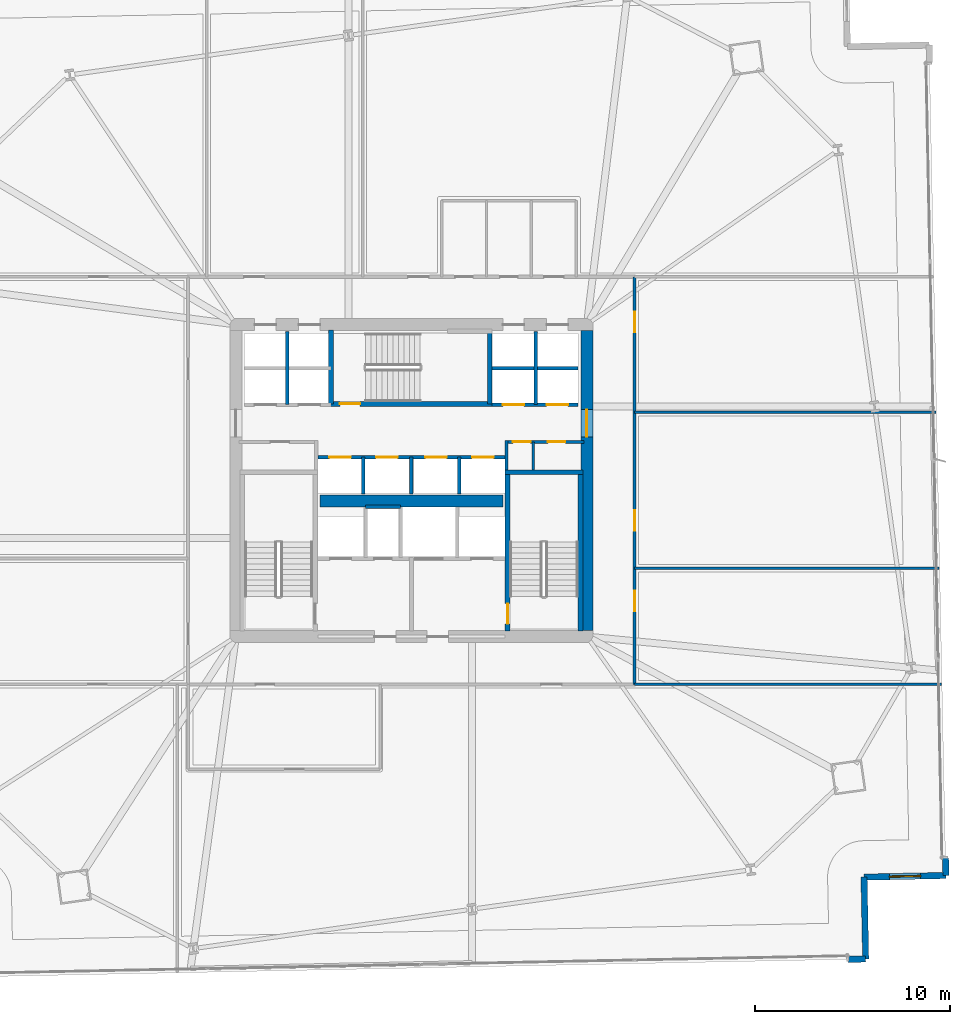
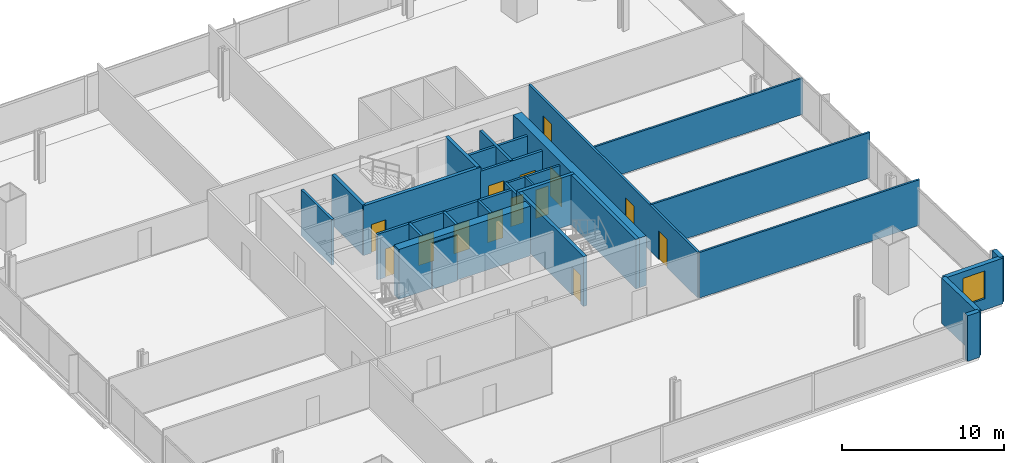
# One storey, part 28 of 35: 28 walls, 14 doors, 1 window, 15 openings.
"""IFC4 building model written with IfcOpenShell, lengths in metres."""

from ifc_helpers import new_model, si_unit, direction, frame, frame_2d, origin, place, context, subcontext, project, spatial, rectangle, extrude, material, layer, layer_set, type_object, element, fill, save


model = new_model("IFC4")

# Units and contexts
model_context = context("Model", 3, precision=1e-05, world=origin(), true_north=direction((0.0, 1.0)))
body_context = subcontext(model_context, "Body", "Model", "MODEL_VIEW")
ifc_project = project(units=[si_unit("LENGTHUNIT", "METRE"), si_unit("AREAUNIT", "SQUARE_METRE"), si_unit("VOLUMEUNIT", "CUBIC_METRE"), si_unit("PLANEANGLEUNIT", "RADIAN"), si_unit("MASSUNIT", "GRAM", prefix="KILO")], contexts=[model_context])

# Site, building, storey
site_placement = place(None, origin())
site = spatial("IfcSite", under=ifc_project, at=site_placement, CompositionType="ELEMENT")
building_placement = place(site_placement, origin())
building = spatial("IfcBuilding", under=site, at=building_placement, Name="Haldenkirk Collegiate Tower", CompositionType="ELEMENT")
storey_placement = place(building_placement, frame((0.0, 0.0, 32.699951171875)))
storey = spatial("IfcBuildingStorey", under=building, at=storey_placement, Name="L06", CompositionType="ELEMENT", Elevation=32.699951171875)

# Wall, opening, door
ifc_material_1 = material(Name="Concrete f'c 70 MPa", Category="concrete")
ifc_layer_1 = layer(ifc_material_1, 0.60009765625)
ifc_layer_set_1 = layer_set([ifc_layer_1], Name="Concrete f'c 70 MPa")
wall_type_1 = type_object("IfcWallType", Name="WL-CORE-600", PredefinedType="SHEAR", material=ifc_layer_set_1)
wall_1_placement = place(storey_placement, frame((45.0, 18.300048828125, 0.0), z_axis=(0.0, 0.0, 1.0), x_axis=(0.0, 1.0, 0.0)))
wall_1 = element("IfcWall", 1, at=wall_1_placement, inside=storey, type_object=wall_type_1, Name="L06 central core shear wall E", PredefinedType="SHEAR", context=body_context, shape_type="SweptSolid", body=[
    extrude(rectangle(XDim=15.39990234375, YDim=0.60009765625, at=frame_2d((7.699951171875, 0.0))), origin(), (0.0, 0.0, 1.0), 3.75),
])
opening_1_placement = place(wall_1_placement, frame((9.93994140625, 0.0, 0.0)))
opening_1 = element("IfcOpeningElement", 2, at=opening_1_placement, cuts=wall_1, Name="Opening D-03", PredefinedType="OPENING", context=body_context, shape_type="SweptSolid", body=[
    extrude(rectangle(XDim=1.39990234375, YDim=2.199951171875, at=frame_2d((0.699951171875, 1.10009765625))), frame((0.0, 0.31005859375, 0.0), z_axis=(0.0, -1.0, 0.0), x_axis=(1.0, 0.0, 0.0)), (0.0, 0.0, 1.0), 0.6201171875),
])
ifc_material_2 = material(Name="Galvanized fire-rated hollow steel door", Category="steel")
ifc_layer_2 = layer(ifc_material_2, 0.06005859375)
ifc_layer_set_2 = layer_set([ifc_layer_2], Name="Galvanized fire-rated hollow steel door")
door_type_1 = type_object("IfcDoorType", Name="DR-LOBBY-FD90-1400", OperationType="NOTDEFINED", PredefinedType="DOOR", material=ifc_layer_set_2)
door_1_placement = place(opening_1_placement, origin())
door_1 = element("IfcDoor", 3, at=door_1_placement, inside=storey, type_object=door_type_1, Name="L06 east lift lobby portal", OperationType="DOUBLE_DOOR_SINGLE_SWING", OverallHeight=2.199951171875, OverallWidth=1.39990234375, PredefinedType="DOOR", context=body_context, shape_type="SweptSolid", body=[
    extrude(rectangle(XDim=1.39990234375, YDim=2.199951171875, at=frame_2d((0.699951171875, 1.10009765625))), frame((0.0, 0.02490234375, 0.0), z_axis=(0.0, -1.0, 0.0), x_axis=(1.0, 0.0, 0.0)), (0.0, 0.0, 1.0), 0.050048828125),
])
fill(opening_1, door_1)

# Walls
wall_2_placement = place(storey_placement, frame((31.31005859375, 24.949951171875, 0.0), z_axis=(0.0, 0.0, 1.0), x_axis=(1.0, 0.0, 0.0)))
element("IfcWall", 4, at=wall_2_placement, inside=storey, type_object=wall_type_1, Name="L06 central core spine shear wall", PredefinedType="SHEAR", context=body_context, shape_type="SweptSolid", body=[
    extrude(rectangle(XDim=9.3798828125, YDim=0.60009765625, at=frame_2d((4.68994140625, 0.0))), origin(), (0.0, 0.0, 1.0), 3.75),
])
ifc_material_3 = material(Name="Precast concrete f'c 40 MPa", Category="concrete")
ifc_layer_3 = layer(ifc_material_3, 0.320068359375)
ifc_layer_set_3 = layer_set([ifc_layer_3], Name="Precast concrete f'c 40 MPa")
wall_type_2 = type_object("IfcWallType", Name="WL-EXT-TWR-320", PredefinedType="STANDARD", material=ifc_layer_set_3)
wall_3_placement = place(storey_placement, frame((59.297119140625, 1.462646484375, 0.0), z_axis=(0.0, 0.0, 1.0), x_axis=(-0.999798429426, -0.020077363305, 0.0)))
element("IfcWall", 5, at=wall_3_placement, inside=storey, type_object=wall_type_2, Name="L06 precast corner pier SL", PredefinedType="STANDARD", context=body_context, shape_type="SweptSolid", body=[
    extrude(rectangle(XDim=0.89990234375, YDim=0.320068359375, at=frame_2d((0.449951171875, 0.0))), origin(), (0.0, 0.0, 1.0), 3.43994140625),
])
wall_4_placement = place(storey_placement, frame((59.212890625, 5.661865234375, 0.0), z_axis=(0.0, 0.0, 1.0), x_axis=(0.020054105767, -0.9997988962, 0.0)))
element("IfcWall", 6, at=wall_4_placement, inside=storey, type_object=wall_type_2, Name="L06 bronze precast notch wall 02", PredefinedType="STANDARD", context=body_context, shape_type="SweptSolid", body=[
    extrude(rectangle(XDim=4.199951171875, YDim=0.320068359375, at=frame_2d((2.10009765625, 0.0))), origin(), (0.0, 0.0, 1.0), 3.43994140625),
])

# Wall, opening, window
wall_5_placement = place(storey_placement, frame((63.412109375, 5.74609375, 0.0), z_axis=(0.0, 0.0, 1.0), x_axis=(-0.9997988962, -0.020054105767, 0.0)))
wall_5 = element("IfcWall", 7, at=wall_5_placement, inside=storey, type_object=wall_type_2, Name="L06 bronze precast notch wall 03", PredefinedType="STANDARD", context=body_context, shape_type="SweptSolid", body=[
    extrude(rectangle(XDim=4.199951171875, YDim=0.320068359375, at=frame_2d((2.10009765625, 0.0))), origin(), (0.0, 0.0, 1.0), 3.43994140625),
])
opening_2_placement = place(wall_5_placement, frame((1.300048828125, 0.0, 0.85009765625)))
opening_2 = element("IfcOpeningElement", 8, at=opening_2_placement, cuts=wall_5, Name="Opening W-03", PredefinedType="OPENING", context=body_context, shape_type="SweptSolid", body=[
    extrude(rectangle(XDim=1.60009765625, YDim=2.10009765625, at=frame_2d((0.800048828125, 1.050048828125))), frame((0.0, 0.169921875, 0.0), z_axis=(0.0, -1.0, 0.0), x_axis=(1.0, 0.0, 0.0)), (0.0, 0.0, 1.0), 0.340087890625),
])
ifc_material_4 = material(Name="Low-E argon triple insulating glass", Category="glass")
ifc_layer_4 = layer(ifc_material_4, 0.090087890625)
ifc_layer_set_4 = layer_set([ifc_layer_4], Name="Low-E argon triple insulating glass")
window_type = type_object("IfcWindowType", Name="WN-Z1-1600X2100", PartitioningType="SINGLE_PANEL", PredefinedType="WINDOW", material=ifc_layer_set_4)
window_placement = place(opening_2_placement, origin())
window = element("IfcWindow", 9, at=window_placement, inside=storey, type_object=window_type, Name="L06 precast-frame academic window 2", OverallHeight=2.10009765625, OverallWidth=1.60009765625, PartitioningType="SINGLE_PANEL", PredefinedType="WINDOW", context=body_context, shape_type="SweptSolid", body=[
    extrude(rectangle(XDim=1.60009765625, YDim=2.10009765625, at=frame_2d((0.800048828125, 1.050048828125))), frame((0.0, 0.030029296875, 0.0), z_axis=(0.0, -1.0, 0.0), x_axis=(1.0, 0.0, 0.0)), (0.0, 0.0, 1.0), 0.06005859375),
])
fill(opening_2, window)

# Wall
wall_6_placement = place(storey_placement, frame((63.393798828125, 6.64599609375, 0.0), z_axis=(0.0, 0.0, 1.0), x_axis=(0.020343049215, -0.999793058762, 0.0)))
element("IfcWall", 10, at=wall_6_placement, inside=storey, type_object=wall_type_2, Name="L06 precast corner pier ER", PredefinedType="STANDARD", context=body_context, shape_type="SweptSolid", body=[
    extrude(rectangle(XDim=0.900146484375, YDim=0.320068359375, at=frame_2d((0.4501953125, 0.0))), origin(), (0.0, 0.0, 1.0), 3.43994140625),
])

# Wall, openings, doors
ifc_material_5 = material(Name="Acoustic fire-rated gypsum partition", Category="concrete")
ifc_layer_5 = layer(ifc_material_5, 0.159912109375)
ifc_layer_set_5 = layer_set([ifc_layer_5], Name="Acoustic fire-rated gypsum partition")
wall_type_3 = type_object("IfcWallType", Name="WL-INT-CORR-160", PredefinedType="PARTITIONING", material=ifc_layer_set_5)
wall_7_placement = place(storey_placement, frame((40.800048828125, 27.97998046875, 0.0), z_axis=(0.0, 0.0, 1.0), x_axis=(1.0, 0.0, 0.0)))
wall_7 = element("IfcWall", 11, at=wall_7_placement, inside=storey, type_object=wall_type_3, Name="L06 interior partition IW-L06-VCSE-N", PredefinedType="PARTITIONING", context=body_context, shape_type="SweptSolid", body=[
    extrude(rectangle(XDim=4.050048828125, YDim=0.159912109375, at=frame_2d((2.02490234375, 0.0))), origin(), (0.0, 0.0, 1.0), 3.43994140625),
])
opening_3_placement = place(wall_7_placement, frame((0.407470703125, 0.0, 0.0)))
opening_3 = element("IfcOpeningElement", 12, at=opening_3_placement, cuts=wall_7, Name="Opening D-11", PredefinedType="OPENING", context=body_context, shape_type="SweptSolid", body=[
    extrude(rectangle(XDim=0.89990234375, YDim=2.14990234375, at=frame_2d((0.449951171875, 1.074951171875))), frame((0.0, 0.08984375, 0.0), z_axis=(0.0, -1.0, 0.0), x_axis=(1.0, 0.0, 0.0)), (0.0, 0.0, 1.0), 0.179931640625),
])
opening_4_placement = place(wall_7_placement, frame((2.199951171875, 0.0, 0.0)))
opening_4 = element("IfcOpeningElement", 13, at=opening_4_placement, cuts=wall_7, Name="Opening D-11", PredefinedType="OPENING", context=body_context, shape_type="SweptSolid", body=[
    extrude(rectangle(XDim=0.89990234375, YDim=2.14990234375, at=frame_2d((0.449951171875, 1.074951171875))), frame((0.0, 0.08984375, 0.0), z_axis=(0.0, -1.0, 0.0), x_axis=(1.0, 0.0, 0.0)), (0.0, 0.0, 1.0), 0.179931640625),
])
ifc_material_6 = material(Name="Solid-core architectural oak fire door", Category="wood")
ifc_layer_6 = layer(ifc_material_6, 0.06005859375)
ifc_layer_set_6 = layer_set([ifc_layer_6], Name="Solid-core architectural oak fire door")
door_type_2 = type_object("IfcDoorType", Name="DR-INT-FD60-900", OperationType="NOTDEFINED", PredefinedType="DOOR", material=ifc_layer_set_6)
door_2_placement = place(opening_3_placement, origin())
door_2 = element("IfcDoor", 14, at=door_2_placement, inside=storey, type_object=door_type_2, Name="L06 core copy room door", OperationType="SINGLE_SWING_RIGHT", OverallHeight=2.14990234375, OverallWidth=0.89990234375, PredefinedType="DOOR", context=body_context, shape_type="SweptSolid", body=[
    extrude(rectangle(XDim=0.89990234375, YDim=2.14990234375, at=frame_2d((0.449951171875, 1.074951171875))), frame((0.0, 0.02490234375, 0.0), z_axis=(0.0, -1.0, 0.0), x_axis=(1.0, 0.0, 0.0)), (0.0, 0.0, 1.0), 0.050048828125),
])
fill(opening_3, door_2)
door_3_placement = place(opening_4_placement, origin())
door_3 = element("IfcDoor", 15, at=door_3_placement, inside=storey, type_object=door_type_2, Name="L06 core records store door", OperationType="SINGLE_SWING_LEFT", OverallHeight=2.14990234375, OverallWidth=0.89990234375, PredefinedType="DOOR", context=body_context, shape_type="SweptSolid", body=[
    extrude(rectangle(XDim=0.89990234375, YDim=2.14990234375, at=frame_2d((0.449951171875, 1.074951171875))), frame((0.0, 0.02490234375, 0.0), z_axis=(0.0, -1.0, 0.0), x_axis=(1.0, 0.0, 0.0)), (0.0, 0.0, 1.0), 0.050048828125),
])
fill(opening_4, door_3)

# Wall
wall_8_placement = place(storey_placement, frame((40.8798828125, 26.5400390625, 0.0), z_axis=(0.0, 0.0, 1.0), x_axis=(0.0, 1.0, 0.0)))
element("IfcWall", 16, at=wall_8_placement, inside=storey, type_object=wall_type_3, Name="L06 interior partition IW-L06-VCSE-W", PredefinedType="PARTITIONING", context=body_context, shape_type="SweptSolid", body=[
    extrude(rectangle(XDim=1.510009765625, YDim=0.159912109375, at=frame_2d((0.7548828125, 0.0))), origin(), (0.0, 0.0, 1.0), 3.43994140625),
])

# Wall, openings, doors
wall_9_placement = place(storey_placement, frame((47.449951171875, 15.550048828125, 0.0), z_axis=(0.0, 0.0, 1.0), x_axis=(0.0, 1.0, 0.0)))
wall_9 = element("IfcWall", 17, at=wall_9_placement, inside=storey, type_object=wall_type_3, Name="L06 interior partition IW-L06-CE", PredefinedType="PARTITIONING", context=body_context, shape_type="SweptSolid", body=[
    extrude(rectangle(XDim=20.89990234375, YDim=0.159912109375, at=frame_2d((10.449951171875, 0.0))), origin(), (0.0, 0.0, 1.0), 3.43994140625),
])
opening_5_placement = place(wall_9_placement, frame((3.7470703125, 0.0, 0.0)))
opening_5 = element("IfcOpeningElement", 18, at=opening_5_placement, cuts=wall_9, Name="Opening D-09", PredefinedType="OPENING", context=body_context, shape_type="SweptSolid", body=[
    extrude(rectangle(XDim=1.050048828125, YDim=2.14990234375, at=frame_2d((0.52490234375, 1.074951171875))), frame((0.0, 0.08984375, 0.0), z_axis=(0.0, -1.0, 0.0), x_axis=(1.0, 0.0, 0.0)), (0.0, 0.0, 1.0), 0.179931640625),
])
opening_6_placement = place(wall_9_placement, frame((7.864990234375, 0.0, 0.0)))
opening_6 = element("IfcOpeningElement", 19, at=opening_6_placement, cuts=wall_9, Name="Opening D-09", PredefinedType="OPENING", context=body_context, shape_type="SweptSolid", body=[
    extrude(rectangle(XDim=1.050048828125, YDim=2.14990234375, at=frame_2d((0.52490234375, 1.074951171875))), frame((0.0, 0.08984375, 0.0), z_axis=(0.0, -1.0, 0.0), x_axis=(1.0, 0.0, 0.0)), (0.0, 0.0, 1.0), 0.179931640625),
])
opening_7_placement = place(wall_9_placement, frame((18.044921875, 0.0, 0.0)))
opening_7 = element("IfcOpeningElement", 20, at=opening_7_placement, cuts=wall_9, Name="Opening D-09", PredefinedType="OPENING", context=body_context, shape_type="SweptSolid", body=[
    extrude(rectangle(XDim=1.050048828125, YDim=2.14990234375, at=frame_2d((0.52490234375, 1.074951171875))), frame((0.0, 0.08984375, 0.0), z_axis=(0.0, -1.0, 0.0), x_axis=(1.0, 0.0, 0.0)), (0.0, 0.0, 1.0), 0.179931640625),
])
ifc_layer_7 = layer(ifc_material_6, 0.06005859375)
ifc_layer_set_7 = layer_set([ifc_layer_7], Name="Solid-core architectural oak fire door")
door_type_3 = type_object("IfcDoorType", Name="DR-INT-FD60-1050", OperationType="NOTDEFINED", PredefinedType="DOOR", material=ifc_layer_set_7)
door_4_placement = place(opening_5_placement, origin())
door_4 = element("IfcDoor", 21, at=door_4_placement, inside=storey, type_object=door_type_3, Name="L06 Senior Fellow Office 8 door", OperationType="SINGLE_SWING_RIGHT", OverallHeight=2.14990234375, OverallWidth=1.050048828125, PredefinedType="DOOR", context=body_context, shape_type="SweptSolid", body=[
    extrude(rectangle(XDim=1.050048828125, YDim=2.14990234375, at=frame_2d((0.52490234375, 1.074951171875))), frame((0.0, 0.02490234375, 0.0), z_axis=(0.0, -1.0, 0.0), x_axis=(1.0, 0.0, 0.0)), (0.0, 0.0, 1.0), 0.050048828125),
])
fill(opening_5, door_4)
door_5_placement = place(opening_6_placement, origin())
door_5 = element("IfcDoor", 22, at=door_5_placement, inside=storey, type_object=door_type_3, Name="L06 Research Office 9 door", OperationType="SINGLE_SWING_LEFT", OverallHeight=2.14990234375, OverallWidth=1.050048828125, PredefinedType="DOOR", context=body_context, shape_type="SweptSolid", body=[
    extrude(rectangle(XDim=1.050048828125, YDim=2.14990234375, at=frame_2d((0.52490234375, 1.074951171875))), frame((0.0, 0.02490234375, 0.0), z_axis=(0.0, -1.0, 0.0), x_axis=(1.0, 0.0, 0.0)), (0.0, 0.0, 1.0), 0.050048828125),
])
fill(opening_6, door_5)
door_6_placement = place(opening_7_placement, origin())
door_6 = element("IfcDoor", 23, at=door_6_placement, inside=storey, type_object=door_type_3, Name="L06 Departmental Office 10 door", OperationType="SINGLE_SWING_RIGHT", OverallHeight=2.14990234375, OverallWidth=1.050048828125, PredefinedType="DOOR", context=body_context, shape_type="SweptSolid", body=[
    extrude(rectangle(XDim=1.050048828125, YDim=2.14990234375, at=frame_2d((0.52490234375, 1.074951171875))), frame((0.0, 0.02490234375, 0.0), z_axis=(0.0, -1.0, 0.0), x_axis=(1.0, 0.0, 0.0)), (0.0, 0.0, 1.0), 0.050048828125),
])
fill(opening_7, door_6)

# Walls
ifc_layer_8 = layer(ifc_material_5, 0.139892578125)
ifc_layer_set_8 = layer_set([ifc_layer_8], Name="Acoustic fire-rated gypsum partition")
wall_type_4 = type_object("IfcWallType", Name="WL-INT-DIV-140", PredefinedType="PARTITIONING", material=ifc_layer_set_8)
wall_10_placement = place(storey_placement, frame((47.449951171875, 15.550048828125, 0.0), z_axis=(0.0, 0.0, 1.0), x_axis=(1.0, 0.0, 0.0)))
element("IfcWall", 24, at=wall_10_placement, inside=storey, type_object=wall_type_4, Name="L06 interior partition IW-L06-BES", PredefinedType="PARTITIONING", context=body_context, shape_type="SweptSolid", body=[
    extrude(rectangle(XDim=15.725341796875, YDim=0.139892578125, at=frame_2d((7.86279296875, 0.0))), origin(), (0.0, 0.0, 1.0), 3.43994140625),
])
wall_11_placement = place(storey_placement, frame((47.449951171875, 21.5, 0.0), z_axis=(0.0, 0.0, 1.0), x_axis=(1.0, 0.0, 0.0)))
element("IfcWall", 25, at=wall_11_placement, inside=storey, type_object=wall_type_4, Name="L06 interior partition IW-L06-RE1", PredefinedType="PARTITIONING", context=body_context, shape_type="SweptSolid", body=[
    extrude(rectangle(XDim=15.605712890625, YDim=0.139892578125, at=frame_2d((7.802734375, 0.0))), origin(), (0.0, 0.0, 1.0), 3.43994140625),
])
wall_12_placement = place(storey_placement, frame((47.449951171875, 29.5, 0.0), z_axis=(0.0, 0.0, 1.0), x_axis=(1.0, 0.0, 0.0)))
element("IfcWall", 26, at=wall_12_placement, inside=storey, type_object=wall_type_4, Name="L06 interior partition IW-L06-RE2", PredefinedType="PARTITIONING", context=body_context, shape_type="SweptSolid", body=[
    extrude(rectangle(XDim=15.445068359375, YDim=0.139892578125, at=frame_2d((7.72265625, 0.0))), origin(), (0.0, 0.0, 1.0), 2.739013671875),
])
ifc_material_7 = material(Name="Fire-rated gypsum shaftboard assembly", Category="concrete")
ifc_layer_9 = layer(ifc_material_7, 0.179931640625)
ifc_layer_set_9 = layer_set([ifc_layer_9], Name="Fire-rated gypsum shaftboard assembly")
wall_type_5 = type_object("IfcWallType", Name="WL-INT-SHAFT-180", PredefinedType="PARTITIONING", material=ifc_layer_set_9)
wall_13_placement = place(storey_placement, frame((33.64990234375, 24.64990234375, 0.0), z_axis=(0.0, 0.0, 1.0), x_axis=(1.0, 0.0, 0.0)))
element("IfcWall", 27, at=wall_13_placement, inside=storey, type_object=wall_type_5, Name="L06 interior partition IW-L06-RSRN", PredefinedType="PARTITIONING", context=body_context, shape_type="SweptSolid", body=[
    extrude(rectangle(XDim=1.800048828125, YDim=0.179931640625, at=frame_2d((0.89990234375, 0.0))), origin(), (0.0, 0.0, 1.0), 3.43994140625),
])
wall_14_placement = place(storey_placement, frame((29.6298828125, 29.89990234375, 0.0), z_axis=(0.0, 0.0, 1.0), x_axis=(0.0, 1.0, 0.0)))
element("IfcWall", 28, at=wall_14_placement, inside=storey, type_object=wall_type_5, Name="L06 interior partition IW-L06-PLV", PredefinedType="PARTITIONING", context=body_context, shape_type="SweptSolid", body=[
    extrude(rectangle(XDim=3.75, YDim=0.179931640625, at=frame_2d((1.875, 0.0))), origin(), (0.0, 0.0, 1.0), 3.43994140625),
])

# Wall, openings, doors
wall_15_placement = place(storey_placement, frame((40.1201171875, 29.89990234375, 0.0), z_axis=(0.0, 0.0, 1.0), x_axis=(1.0, 0.0, 0.0)))
wall_15 = element("IfcWall", 29, at=wall_15_placement, inside=storey, type_object=wall_type_5, Name="L06 interior partition IW-L06-PMS", PredefinedType="PARTITIONING", context=body_context, shape_type="SweptSolid", body=[
    extrude(rectangle(XDim=4.429931640625, YDim=0.179931640625, at=frame_2d((2.21484375, 0.0))), origin(), (0.0, 0.0, 1.0), 3.43994140625),
])
opening_8_placement = place(wall_15_placement, frame((0.56494140625, 0.0, 0.0)))
opening_8 = element("IfcOpeningElement", 30, at=opening_8_placement, cuts=wall_15, Name="Opening LD-11", PredefinedType="OPENING", context=body_context, shape_type="SweptSolid", body=[
    extrude(rectangle(XDim=1.10009765625, YDim=2.14990234375, at=frame_2d((0.550048828125, 1.074951171875))), frame((0.0, 0.099853515625, 0.0), z_axis=(0.0, -1.0, 0.0), x_axis=(1.0, 0.0, 0.0)), (0.0, 0.0, 1.0), 0.199951171875),
])
opening_9_placement = place(wall_15_placement, frame((2.81494140625, 0.0, 0.0)))
opening_9 = element("IfcOpeningElement", 31, at=opening_9_placement, cuts=wall_15, Name="Opening LD-11", PredefinedType="OPENING", context=body_context, shape_type="SweptSolid", body=[
    extrude(rectangle(XDim=1.10009765625, YDim=2.14990234375, at=frame_2d((0.550048828125, 1.074951171875))), frame((0.0, 0.099853515625, 0.0), z_axis=(0.0, -1.0, 0.0), x_axis=(1.0, 0.0, 0.0)), (0.0, 0.0, 1.0), 0.199951171875),
])
ifc_material_8 = material(Name="Brushed architectural stainless steel", Category="steel")
ifc_layer_10 = layer(ifc_material_8, 0.06005859375)
ifc_layer_set_10 = layer_set([ifc_layer_10], Name="Brushed architectural stainless steel")
door_type_4 = type_object("IfcDoorType", Name="LD-PASS-1100", OperationType="NOTDEFINED", PredefinedType="DOOR", material=ifc_layer_set_10)
door_7_placement = place(opening_8_placement, origin())
door_7 = element("IfcDoor", 32, at=door_7_placement, inside=storey, type_object=door_type_4, Name="L06 Elevator PM1 sliding landing door", OperationType="SLIDING_TO_LEFT", OverallHeight=2.14990234375, OverallWidth=1.10009765625, PredefinedType="DOOR", context=body_context, shape_type="SweptSolid", body=[
    extrude(rectangle(XDim=1.10009765625, YDim=2.14990234375, at=frame_2d((0.550048828125, 1.074951171875))), frame((0.0, 0.02490234375, 0.0), z_axis=(0.0, -1.0, 0.0), x_axis=(1.0, 0.0, 0.0)), (0.0, 0.0, 1.0), 0.050048828125),
])
fill(opening_8, door_7)
door_8_placement = place(opening_9_placement, origin())
door_8 = element("IfcDoor", 33, at=door_8_placement, inside=storey, type_object=door_type_4, Name="L06 Elevator PM2 sliding landing door", OperationType="SLIDING_TO_LEFT", OverallHeight=2.14990234375, OverallWidth=1.10009765625, PredefinedType="DOOR", context=body_context, shape_type="SweptSolid", body=[
    extrude(rectangle(XDim=1.10009765625, YDim=2.14990234375, at=frame_2d((0.550048828125, 1.074951171875))), frame((0.0, 0.02490234375, 0.0), z_axis=(0.0, -1.0, 0.0), x_axis=(1.0, 0.0, 0.0)), (0.0, 0.0, 1.0), 0.050048828125),
])
fill(opening_9, door_8)

# Walls
wall_16_placement = place(storey_placement, frame((40.1201171875, 31.75, 0.0), z_axis=(0.0, 0.0, 1.0), x_axis=(1.0, 0.0, 0.0)))
element("IfcWall", 34, at=wall_16_placement, inside=storey, type_object=wall_type_5, Name="L06 interior partition IW-L06-PMM", PredefinedType="PARTITIONING", context=body_context, shape_type="SweptSolid", body=[
    extrude(rectangle(XDim=4.429931640625, YDim=0.179931640625, at=frame_2d((2.21484375, 0.0))), origin(), (0.0, 0.0, 1.0), 3.43994140625),
])
wall_17_placement = place(storey_placement, frame((42.3701171875, 29.89990234375, 0.0), z_axis=(0.0, 0.0, 1.0), x_axis=(0.0, 1.0, 0.0)))
element("IfcWall", 35, at=wall_17_placement, inside=storey, type_object=wall_type_5, Name="L06 interior partition IW-L06-PMV", PredefinedType="PARTITIONING", context=body_context, shape_type="SweptSolid", body=[
    extrude(rectangle(XDim=3.75, YDim=0.179931640625, at=frame_2d((1.875, 0.0))), origin(), (0.0, 0.0, 1.0), 3.43994140625),
])

# Wall, openings, doors
wall_18_placement = place(storey_placement, frame((31.199951171875, 27.199951171875, 0.0), z_axis=(0.0, 0.0, 1.0), x_axis=(1.0, 0.0, 0.0)))
wall_18 = element("IfcWall", 36, at=wall_18_placement, inside=storey, type_object=wall_type_5, Name="L06 interior partition IW-L06-PHN", PredefinedType="PARTITIONING", context=body_context, shape_type="SweptSolid", body=[
    extrude(rectangle(XDim=9.60009765625, YDim=0.179931640625, at=frame_2d((4.800048828125, 0.0))), origin(), (0.0, 0.0, 1.0), 3.43994140625),
])
opening_10_placement = place(wall_18_placement, frame((0.590087890625, 0.0, 0.0)))
opening_10 = element("IfcOpeningElement", 37, at=opening_10_placement, cuts=wall_18, Name="Opening LD-11", PredefinedType="OPENING", context=body_context, shape_type="SweptSolid", body=[
    extrude(rectangle(XDim=1.10009765625, YDim=2.14990234375, at=frame_2d((0.550048828125, 1.074951171875))), frame((0.0, 0.099853515625, 0.0), z_axis=(0.0, -1.0, 0.0), x_axis=(1.0, 0.0, 0.0)), (0.0, 0.0, 1.0), 0.199951171875),
])
opening_11_placement = place(wall_18_placement, frame((2.989990234375, 0.0, 0.0)))
opening_11 = element("IfcOpeningElement", 38, at=opening_11_placement, cuts=wall_18, Name="Opening LD-11", PredefinedType="OPENING", context=body_context, shape_type="SweptSolid", body=[
    extrude(rectangle(XDim=1.10009765625, YDim=2.14990234375, at=frame_2d((0.550048828125, 1.074951171875))), frame((0.0, 0.099853515625, 0.0), z_axis=(0.0, -1.0, 0.0), x_axis=(1.0, 0.0, 0.0)), (0.0, 0.0, 1.0), 0.199951171875),
])
opening_12_placement = place(wall_18_placement, frame((5.510009765625, 0.0, 0.0)))
opening_12 = element("IfcOpeningElement", 39, at=opening_12_placement, cuts=wall_18, Name="Opening LD-11", PredefinedType="OPENING", context=body_context, shape_type="SweptSolid", body=[
    extrude(rectangle(XDim=1.10009765625, YDim=2.14990234375, at=frame_2d((0.550048828125, 1.074951171875))), frame((0.0, 0.099853515625, 0.0), z_axis=(0.0, -1.0, 0.0), x_axis=(1.0, 0.0, 0.0)), (0.0, 0.0, 1.0), 0.199951171875),
])
opening_13_placement = place(wall_18_placement, frame((7.909912109375, 0.0, 0.0)))
opening_13 = element("IfcOpeningElement", 40, at=opening_13_placement, cuts=wall_18, Name="Opening LD-11", PredefinedType="OPENING", context=body_context, shape_type="SweptSolid", body=[
    extrude(rectangle(XDim=1.10009765625, YDim=2.14990234375, at=frame_2d((0.550048828125, 1.074951171875))), frame((0.0, 0.099853515625, 0.0), z_axis=(0.0, -1.0, 0.0), x_axis=(1.0, 0.0, 0.0)), (0.0, 0.0, 1.0), 0.199951171875),
])
door_9_placement = place(opening_10_placement, origin())
door_9 = element("IfcDoor", 41, at=door_9_placement, inside=storey, type_object=door_type_4, Name="L06 Elevator PH1 sliding landing door", OperationType="SLIDING_TO_LEFT", OverallHeight=2.14990234375, OverallWidth=1.10009765625, PredefinedType="DOOR", context=body_context, shape_type="SweptSolid", body=[
    extrude(rectangle(XDim=1.10009765625, YDim=2.14990234375, at=frame_2d((0.550048828125, 1.074951171875))), frame((0.0, 0.02490234375, 0.0), z_axis=(0.0, -1.0, 0.0), x_axis=(1.0, 0.0, 0.0)), (0.0, 0.0, 1.0), 0.050048828125),
])
fill(opening_10, door_9)
door_10_placement = place(opening_11_placement, origin())
door_10 = element("IfcDoor", 42, at=door_10_placement, inside=storey, type_object=door_type_4, Name="L06 Elevator PH2 sliding landing door", OperationType="SLIDING_TO_LEFT", OverallHeight=2.14990234375, OverallWidth=1.10009765625, PredefinedType="DOOR", context=body_context, shape_type="SweptSolid", body=[
    extrude(rectangle(XDim=1.10009765625, YDim=2.14990234375, at=frame_2d((0.550048828125, 1.074951171875))), frame((0.0, 0.02490234375, 0.0), z_axis=(0.0, -1.0, 0.0), x_axis=(1.0, 0.0, 0.0)), (0.0, 0.0, 1.0), 0.050048828125),
])
fill(opening_11, door_10)
door_11_placement = place(opening_12_placement, origin())
door_11 = element("IfcDoor", 43, at=door_11_placement, inside=storey, type_object=door_type_4, Name="L06 Elevator PH3 sliding landing door", OperationType="SLIDING_TO_LEFT", OverallHeight=2.14990234375, OverallWidth=1.10009765625, PredefinedType="DOOR", context=body_context, shape_type="SweptSolid", body=[
    extrude(rectangle(XDim=1.10009765625, YDim=2.14990234375, at=frame_2d((0.550048828125, 1.074951171875))), frame((0.0, 0.02490234375, 0.0), z_axis=(0.0, -1.0, 0.0), x_axis=(1.0, 0.0, 0.0)), (0.0, 0.0, 1.0), 0.050048828125),
])
fill(opening_12, door_11)
door_12_placement = place(opening_13_placement, origin())
door_12 = element("IfcDoor", 44, at=door_12_placement, inside=storey, type_object=door_type_4, Name="L06 Elevator PH4 sliding landing door", OperationType="SLIDING_TO_LEFT", OverallHeight=2.14990234375, OverallWidth=1.10009765625, PredefinedType="DOOR", context=body_context, shape_type="SweptSolid", body=[
    extrude(rectangle(XDim=1.10009765625, YDim=2.14990234375, at=frame_2d((0.550048828125, 1.074951171875))), frame((0.0, 0.02490234375, 0.0), z_axis=(0.0, -1.0, 0.0), x_axis=(1.0, 0.0, 0.0)), (0.0, 0.0, 1.0), 0.050048828125),
])
fill(opening_13, door_12)

# Walls
for number, where, z_axis, x_axis, name in (
    (45, (33.5400390625, 25.300048828125, 0.0), (0.0, 0.0, 1.0), (0.0, 1.0, 0.0), "L06 interior partition IW-L06-PHV1"),
    (46, (36.0, 25.300048828125, 0.0), (0.0, 0.0, 1.0), (0.0, 1.0, 0.0), "L06 interior partition IW-L06-PHV2"),
    (47, (38.4599609375, 25.300048828125, 0.0), (0.0, 0.0, 1.0), (0.0, 1.0, 0.0), "L06 interior partition IW-L06-PHV3"),
):
    element("IfcWall", number, at=place(storey_placement, frame(where, z_axis=z_axis, x_axis=x_axis)), inside=storey, type_object=wall_type_5, Name=name, PredefinedType="PARTITIONING", context=body_context, shape_type="SweptSolid", body=[
        extrude(rectangle(XDim=1.89990234375, YDim=0.179931640625, at=frame_2d((0.949951171875, 0.0))), origin(), (0.0, 0.0, 1.0), 3.43994140625),
    ])
ifc_layer_11 = layer(ifc_material_5, 0.1201171875)
ifc_layer_set_11 = layer_set([ifc_layer_11], Name="Acoustic fire-rated gypsum partition")
wall_type_6 = type_object("IfcWallType", Name="WL-INT-WET-120", PredefinedType="PARTITIONING", material=ifc_layer_set_11)
wall_19_placement = place(storey_placement, frame((42.25, 26.5400390625, 0.0), z_axis=(0.0, 0.0, 1.0), x_axis=(0.0, 1.0, 0.0)))
element("IfcWall", 48, at=wall_19_placement, inside=storey, type_object=wall_type_6, Name="L06 interior partition IW-L06-VCSE-M", PredefinedType="PARTITIONING", context=body_context, shape_type="SweptSolid", body=[
    extrude(rectangle(XDim=1.43994140625, YDim=0.1201171875, at=frame_2d((0.719970703125, 0.0))), origin(), (0.0, 0.0, 1.0), 3.43994140625),
])

# Wall, opening, door
ifc_material_9 = material(Name="Concrete f'c 55 MPa", Category="concrete")
ifc_layer_12 = layer(ifc_material_9, 0.239990234375)
ifc_layer_set_12 = layer_set([ifc_layer_12], Name="Concrete f'c 55 MPa")
wall_type_7 = type_object("IfcWallType", Name="WL-SHAFT-240", PredefinedType="SHEAR", material=ifc_layer_set_12)
wall_20_placement = place(storey_placement, frame((40.929931640625, 18.280029296875, 0.0), z_axis=(0.0, 0.0, 1.0), x_axis=(0.0, 1.0, 0.0)))
wall_20 = element("IfcWall", 49, at=wall_20_placement, inside=storey, type_object=wall_type_7, Name="L06 stair shaft shear wall SW-L06-ST2W", PredefinedType="SHEAR", context=body_context, shape_type="SweptSolid", body=[
    extrude(rectangle(XDim=8.260009765625, YDim=0.239990234375, at=frame_2d((4.1298828125, 0.0))), origin(), (0.0, 0.0, 1.0), 3.75),
])
opening_14_placement = place(wall_20_placement, frame((0.364990234375, 0.0, 0.0)))
opening_14 = element("IfcOpeningElement", 50, at=opening_14_placement, cuts=wall_20, Name="Opening D-01", PredefinedType="OPENING", context=body_context, shape_type="SweptSolid", body=[
    extrude(rectangle(XDim=1.050048828125, YDim=2.14990234375, at=frame_2d((0.52490234375, 1.074951171875))), frame((0.0, 0.1298828125, 0.0), z_axis=(0.0, -1.0, 0.0), x_axis=(1.0, 0.0, 0.0)), (0.0, 0.0, 1.0), 0.260009765625),
])
ifc_layer_13 = layer(ifc_material_2, 0.06005859375)
ifc_layer_set_13 = layer_set([ifc_layer_13], Name="Galvanized fire-rated hollow steel door")
door_type_5 = type_object("IfcDoorType", Name="DR-STAIR-FD90-1050", OperationType="NOTDEFINED", PredefinedType="DOOR", material=ifc_layer_set_13)
door_13_placement = place(opening_14_placement, origin())
door_13 = element("IfcDoor", 51, at=door_13_placement, inside=storey, type_object=door_type_5, Name="L06 Stair 2 door", OperationType="SINGLE_SWING_RIGHT", OverallHeight=2.14990234375, OverallWidth=1.050048828125, PredefinedType="DOOR", context=body_context, shape_type="SweptSolid", body=[
    extrude(rectangle(XDim=1.050048828125, YDim=2.14990234375, at=frame_2d((0.52490234375, 1.074951171875))), frame((0.0, 0.02490234375, 0.0), z_axis=(0.0, -1.0, 0.0), x_axis=(1.0, 0.0, 0.0)), (0.0, 0.0, 1.0), 0.050048828125),
])
fill(opening_14, door_13)

# Walls
wall_21_placement = place(storey_placement, frame((40.81005859375, 26.419921875, 0.0), z_axis=(0.0, 0.0, 1.0), x_axis=(1.0, 0.0, 0.0)))
element("IfcWall", 52, at=wall_21_placement, inside=storey, type_object=wall_type_7, Name="L06 stair shaft shear wall SW-L06-ST2N", PredefinedType="SHEAR", context=body_context, shape_type="SweptSolid", body=[
    extrude(rectangle(XDim=3.97998046875, YDim=0.239990234375, at=frame_2d((1.989990234375, 0.0))), origin(), (0.0, 0.0, 1.0), 3.75),
])
wall_22_placement = place(storey_placement, frame((44.669921875, 18.280029296875, 0.0), z_axis=(0.0, 0.0, 1.0), x_axis=(0.0, 1.0, 0.0)))
element("IfcWall", 53, at=wall_22_placement, inside=storey, type_object=wall_type_7, Name="L06 stair shaft shear wall SW-L06-ST2E", PredefinedType="SHEAR", context=body_context, shape_type="SweptSolid", body=[
    extrude(rectangle(XDim=8.260009765625, YDim=0.239990234375, at=frame_2d((4.1298828125, 0.0))), origin(), (0.0, 0.0, 1.0), 3.75),
])

# Wall, opening, door
wall_23_placement = place(storey_placement, frame((31.760009765625, 29.929931640625, 0.0), z_axis=(0.0, 0.0, 1.0), x_axis=(1.0, 0.0, 0.0)))
wall_23 = element("IfcWall", 54, at=wall_23_placement, inside=storey, type_object=wall_type_7, Name="L06 stair shaft shear wall SW-L06-ST3S", PredefinedType="SHEAR", context=body_context, shape_type="SweptSolid", body=[
    extrude(rectangle(XDim=8.3798828125, YDim=0.239990234375, at=frame_2d((4.18994140625, 0.0))), origin(), (0.0, 0.0, 1.0), 3.75),
])
opening_15_placement = place(wall_23_placement, frame((0.56494140625, 0.0, 0.0)))
opening_15 = element("IfcOpeningElement", 55, at=opening_15_placement, cuts=wall_23, Name="Opening D-01", PredefinedType="OPENING", context=body_context, shape_type="SweptSolid", body=[
    extrude(rectangle(XDim=1.050048828125, YDim=2.14990234375, at=frame_2d((0.52490234375, 1.074951171875))), frame((0.0, 0.1298828125, 0.0), z_axis=(0.0, -1.0, 0.0), x_axis=(1.0, 0.0, 0.0)), (0.0, 0.0, 1.0), 0.260009765625),
])
door_14_placement = place(opening_15_placement, origin())
door_14 = element("IfcDoor", 56, at=door_14_placement, inside=storey, type_object=door_type_5, Name="L06 lift lobby Stair 3 door", OperationType="SINGLE_SWING_RIGHT", OverallHeight=2.14990234375, OverallWidth=1.050048828125, PredefinedType="DOOR", context=body_context, shape_type="SweptSolid", body=[
    extrude(rectangle(XDim=1.050048828125, YDim=2.14990234375, at=frame_2d((0.52490234375, 1.074951171875))), frame((0.0, 0.02490234375, 0.0), z_axis=(0.0, -1.0, 0.0), x_axis=(1.0, 0.0, 0.0)), (0.0, 0.0, 1.0), 0.050048828125),
])
fill(opening_15, door_14)

# Walls
wall_24_placement = place(storey_placement, frame((31.8798828125, 29.929931640625, 0.0), z_axis=(0.0, 0.0, 1.0), x_axis=(0.0, 1.0, 0.0)))
element("IfcWall", 57, at=wall_24_placement, inside=storey, type_object=wall_type_7, Name="L06 stair shaft shear wall SW-L06-ST3W", PredefinedType="SHEAR", context=body_context, shape_type="SweptSolid", body=[
    extrude(rectangle(XDim=3.7900390625, YDim=0.239990234375, at=frame_2d((1.89501953125, 0.0))), origin(), (0.0, 0.0, 1.0), 3.75),
])
wall_25_placement = place(storey_placement, frame((40.02001953125, 29.929931640625, 0.0), z_axis=(0.0, 0.0, 1.0), x_axis=(0.0, 1.0, 0.0)))
element("IfcWall", 58, at=wall_25_placement, inside=storey, type_object=wall_type_7, Name="L06 stair shaft shear wall SW-L06-ST3E", PredefinedType="SHEAR", context=body_context, shape_type="SweptSolid", body=[
    extrude(rectangle(XDim=3.85009765625, YDim=0.239990234375, at=frame_2d((1.925048828125, 0.0))), origin(), (0.0, 0.0, 1.0), 3.75),
])

save(model, "model.ifc")
